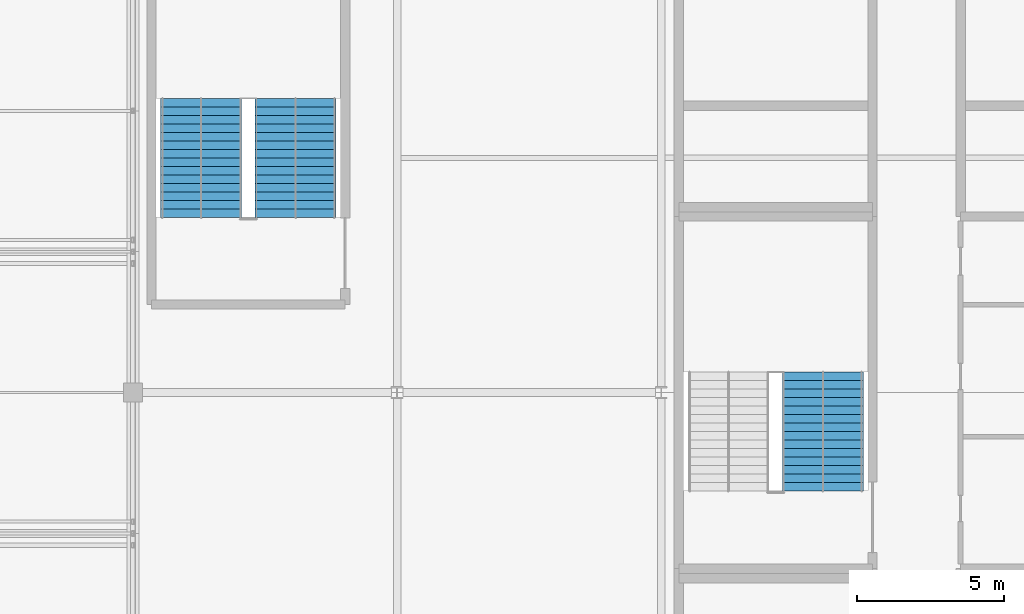
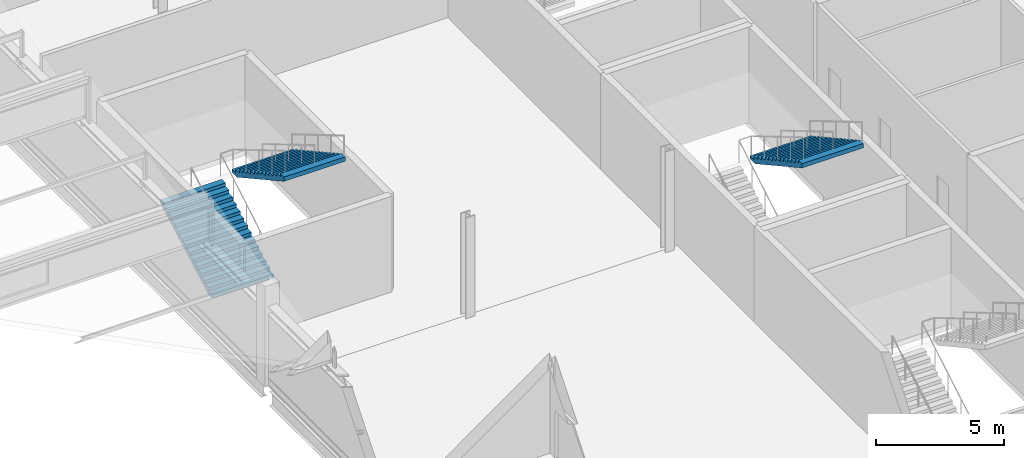
# One storey, part 123 of 136: 3 stair flights, 2 elements without a shape of their own.
"""IFC4 building model written with IfcOpenShell, lengths in metres."""

from ifc_helpers import new_model, si_unit, direction, frame, origin, place, context, subcontext, project, spatial, polygons, material, type_object, element, aggregate, save


model = new_model("IFC4")

# Units and contexts
model_context = context("Model", 3, precision=1e-05, world=origin(), true_north=direction((0.0, 1.0)))
body_context = subcontext(model_context, "Body", "Model", "MODEL_VIEW")
ifc_project = project(units=[si_unit("LENGTHUNIT", "METRE"), si_unit("AREAUNIT", "SQUARE_METRE"), si_unit("VOLUMEUNIT", "CUBIC_METRE"), si_unit("PLANEANGLEUNIT", "RADIAN"), si_unit("MASSUNIT", "GRAM", prefix="KILO")], contexts=[model_context])

# Site, building, storey
site_placement = place(None, origin())
site = spatial("IfcSite", under=ifc_project, at=site_placement, CompositionType="ELEMENT")
building_placement = place(site_placement, origin())
building = spatial("IfcBuilding", under=site, at=building_placement, Name="Kisiwana Market Hall", CompositionType="ELEMENT")
storey_placement = place(building_placement, frame((0.0, 0.0, 16.800048828125)))
storey = spatial("IfcBuildingStorey", under=building, at=storey_placement, Name="L03", CompositionType="ELEMENT", Elevation=16.800048828125)

# Stair, stair flights
ifc_material_1 = material(Name="Concrete C32/40", Category="concrete")
stair_type = type_object("IfcStairType", Name="ST-ESC-4800", PredefinedType="TWO_STRAIGHT_RUN_STAIR", material=ifc_material_1)
stair_1_placement = place(storey_placement, origin())
stair_1 = element("IfcStair", 1, at=stair_1_placement, inside=storey, type_object=stair_type, Name="Escape stair ST-E10-L03", PredefinedType="TWO_STRAIGHT_RUN_STAIR")
ifc_material_2 = material(Name="Concrete C32/40", Category="concrete")
stair_flight_type = type_object("IfcStairFlightType", Name="SF-ESC-4800", PredefinedType="STRAIGHT", material=ifc_material_2)
stair_flight_1_placement = place(storey_placement, frame((155.320068359375, 65.9599609375, 0.0), z_axis=(0.0, 0.0, 1.0), x_axis=(0.0, 1.0, 0.0)))
stair_flight_1 = element("IfcStairFlight", 2, at=stair_flight_1_placement, type_object=stair_flight_type, Name="ST-E10-L03 flight 1", NumberOfRisers=15, NumberOfTreads=14, PredefinedType="STRAIGHT", RiserHeight=0.16, TreadLength=0.29, context=body_context, shape_type="Tessellation", body=[
    polygons([(0.0, -1.380127, 0.0), (0.0, -0.690125, 0.0), (0.0, -0.000122, 0.0), (0.0, 0.68988, 0.0), (0.0, 1.379883, 0.0), (0.0, -1.380127, 0.159912), (0.0, -0.690125, 0.159912), (0.0, -0.000122, 0.159912), (0.0, 0.68988, 0.159912), (0.0, 1.379883, 0.159912), (0.290039, -1.380127, 0.159912), (0.290039, -0.690125, 0.159912), (0.290039, -0.000122, 0.159912), (0.290039, 0.68988, 0.159912), (0.290039, 1.379883, 0.159912), (0.290039, -1.380127, 0.320068), (0.290039, -0.690125, 0.320068), (0.290039, -0.000122, 0.320068), (0.290039, 0.68988, 0.320068), (0.290039, 1.379883, 0.320068), (0.580078, -1.380127, 0.320068), (0.580078, -0.690125, 0.320068), (0.580078, -0.000122, 0.320068), (0.580078, 0.68988, 0.320068), (0.580078, 1.379883, 0.320068), (0.580078, -1.380127, 0.47998), (0.580078, -0.690125, 0.47998), (0.580078, -0.000122, 0.47998), (0.580078, 0.68988, 0.47998), (0.580078, 1.379883, 0.47998), (0.870117, -1.380127, 0.47998), (0.870117, -0.690125, 0.47998), (0.870117, -0.000122, 0.47998), (0.870117, 0.68988, 0.47998), (0.870117, 1.379883, 0.47998), (0.870117, -1.380127, 0.639893), (0.870117, -0.690125, 0.639893), (0.870117, -0.000122, 0.639893), (0.870117, 0.68988, 0.639893), (0.870117, 1.379883, 0.639893), (1.159912, -1.380127, 0.639893), (1.159912, -0.690125, 0.639893), (1.159912, -0.000122, 0.639893), (1.159912, 0.68988, 0.639893), (1.159912, 1.379883, 0.639893), (1.159912, -1.380127, 0.800049), (1.159912, -0.690125, 0.800049), (1.159912, -0.000122, 0.800049), (1.159912, 0.68988, 0.800049), (1.159912, 1.379883, 0.800049), (1.449951, -1.380127, 0.800049), (1.449951, -0.690125, 0.800049), (1.449951, -0.000122, 0.800049), (1.449951, 0.68988, 0.800049), (1.449951, 1.379883, 0.800049), (1.449951, -1.380127, 0.959961), (1.449951, -0.690125, 0.959961), (1.449951, -0.000122, 0.959961), (1.449951, 0.68988, 0.959961), (1.449951, 1.379883, 0.959961), (1.73999, -1.380127, 0.959961), (1.73999, -0.690125, 0.959961), (1.73999, -0.000122, 0.959961), (1.73999, 0.68988, 0.959961), (1.73999, 1.379883, 0.959961), (1.73999, -1.380127, 1.120117), (1.73999, -0.690125, 1.120117), (1.73999, -0.000122, 1.120117), (1.73999, 0.68988, 1.120117), (1.73999, 1.379883, 1.120117), (2.030029, -1.380127, 1.120117), (2.030029, -0.690125, 1.120117), (2.030029, -0.000122, 1.120117), (2.030029, 0.68988, 1.120117), (2.030029, 1.379883, 1.120117), (2.030029, -1.380127, 1.280029), (2.030029, -0.690125, 1.280029), (2.030029, -0.000122, 1.280029), (2.030029, 0.68988, 1.280029), (2.030029, 1.379883, 1.280029), (2.320068, -1.380127, 1.280029), (2.320068, -0.690125, 1.280029), (2.320068, -0.000122, 1.280029), (2.320068, 0.68988, 1.280029), (2.320068, 1.379883, 1.280029), (2.320068, -1.380127, 1.439941), (2.320068, -0.690125, 1.439941), (2.320068, -0.000122, 1.439941), (2.320068, 0.68988, 1.439941), (2.320068, 1.379883, 1.439941), (2.610107, -1.380127, 1.439941), (2.610107, -0.690125, 1.439941), (2.610107, -0.000122, 1.439941), (2.610107, 0.68988, 1.439941), (2.610107, 1.379883, 1.439941), (2.610107, -1.380127, 1.600098), (2.610107, -0.690125, 1.600098), (2.610107, -0.000122, 1.600098), (2.610107, 0.68988, 1.600098), (2.610107, 1.379883, 1.600098), (2.899902, -1.380127, 1.600098), (2.899902, -0.690125, 1.600098), (2.899902, -0.000122, 1.600098), (2.899902, 0.68988, 1.600098), (2.899902, 1.379883, 1.600098), (2.899902, -1.380127, 1.76001), (2.899902, -0.690125, 1.76001), (2.899902, -0.000122, 1.76001), (2.899902, 0.68988, 1.76001), (2.899902, 1.379883, 1.76001), (3.189941, -1.380127, 1.76001), (3.189941, -0.690125, 1.76001), (3.189941, -0.000122, 1.76001), (3.189941, 0.68988, 1.76001), (3.189941, 1.379883, 1.76001), (3.189941, -1.380127, 1.919922), (3.189941, -0.690125, 1.919922), (3.189941, -0.000122, 1.919922), (3.189941, 0.68988, 1.919922), (3.189941, 1.379883, 1.919922), (3.47998, -1.380127, 1.919922), (3.47998, -0.690125, 1.919922), (3.47998, -0.000122, 1.919922), (3.47998, 0.68988, 1.919922), (3.47998, 1.379883, 1.919922), (3.47998, -1.380127, 2.080078), (3.47998, -0.690125, 2.080078), (3.47998, -0.000122, 2.080078), (3.47998, 0.68988, 2.080078), (3.47998, 1.379883, 2.080078), (3.77002, -1.380127, 2.080078), (3.77002, -0.690125, 2.080078), (3.77002, -0.000122, 2.080078), (3.77002, 0.68988, 2.080078), (3.77002, 1.379883, 2.080078), (3.77002, -1.380127, 2.23999), (3.77002, -0.690125, 2.23999), (3.77002, -0.000122, 2.23999), (3.77002, 0.68988, 2.23999), (3.77002, 1.379883, 2.23999), (4.060059, -1.380127, 2.23999), (4.060059, -0.690125, 2.23999), (4.060059, -0.000122, 2.23999), (4.060059, 0.68988, 2.23999), (4.060059, 1.379883, 2.23999), (4.060059, -1.380127, 2.034424), (4.060059, -0.690125, 2.034424), (4.060059, -0.000122, 2.034424), (4.060059, 0.68988, 2.034424), (4.060059, 1.379883, 2.034424), (0.372559, -1.380127, 0.0), (0.372559, -0.690125, 0.0), (0.372559, -0.000122, 0.0), (0.372559, 0.68988, 0.0), (0.372559, 1.379883, 0.0)], [[[1, 6, 7, 2]], [[2, 7, 8, 3]], [[3, 8, 9, 4]], [[4, 9, 10, 5]], [[6, 11, 12, 7]], [[7, 12, 13, 8]], [[8, 13, 14, 9]], [[9, 14, 15, 10]], [[11, 16, 17, 12]], [[12, 17, 18, 13]], [[13, 18, 19, 14]], [[14, 19, 20, 15]], [[16, 21, 22, 17]], [[17, 22, 23, 18]], [[18, 23, 24, 19]], [[19, 24, 25, 20]], [[21, 26, 27, 22]], [[22, 27, 28, 23]], [[23, 28, 29, 24]], [[24, 29, 30, 25]], [[26, 31, 32, 27]], [[27, 32, 33, 28]], [[28, 33, 34, 29]], [[29, 34, 35, 30]], [[31, 36, 37, 32]], [[32, 37, 38, 33]], [[33, 38, 39, 34]], [[34, 39, 40, 35]], [[36, 41, 42, 37]], [[37, 42, 43, 38]], [[38, 43, 44, 39]], [[39, 44, 45, 40]], [[41, 46, 47, 42]], [[42, 47, 48, 43]], [[43, 48, 49, 44]], [[44, 49, 50, 45]], [[46, 51, 52, 47]], [[47, 52, 53, 48]], [[48, 53, 54, 49]], [[49, 54, 55, 50]], [[51, 56, 57, 52]], [[52, 57, 58, 53]], [[53, 58, 59, 54]], [[54, 59, 60, 55]], [[56, 61, 62, 57]], [[57, 62, 63, 58]], [[58, 63, 64, 59]], [[59, 64, 65, 60]], [[61, 66, 67, 62]], [[62, 67, 68, 63]], [[63, 68, 69, 64]], [[64, 69, 70, 65]], [[66, 71, 72, 67]], [[67, 72, 73, 68]], [[68, 73, 74, 69]], [[69, 74, 75, 70]], [[71, 76, 77, 72]], [[72, 77, 78, 73]], [[73, 78, 79, 74]], [[74, 79, 80, 75]], [[76, 81, 82, 77]], [[77, 82, 83, 78]], [[78, 83, 84, 79]], [[79, 84, 85, 80]], [[81, 86, 87, 82]], [[82, 87, 88, 83]], [[83, 88, 89, 84]], [[84, 89, 90, 85]], [[86, 91, 92, 87]], [[87, 92, 93, 88]], [[88, 93, 94, 89]], [[89, 94, 95, 90]], [[91, 96, 97, 92]], [[92, 97, 98, 93]], [[93, 98, 99, 94]], [[94, 99, 100, 95]], [[96, 101, 102, 97]], [[97, 102, 103, 98]], [[98, 103, 104, 99]], [[99, 104, 105, 100]], [[101, 106, 107, 102]], [[102, 107, 108, 103]], [[103, 108, 109, 104]], [[104, 109, 110, 105]], [[106, 111, 112, 107]], [[107, 112, 113, 108]], [[108, 113, 114, 109]], [[109, 114, 115, 110]], [[111, 116, 117, 112]], [[112, 117, 118, 113]], [[113, 118, 119, 114]], [[114, 119, 120, 115]], [[116, 121, 122, 117]], [[117, 122, 123, 118]], [[118, 123, 124, 119]], [[119, 124, 125, 120]], [[121, 126, 127, 122]], [[122, 127, 128, 123]], [[123, 128, 129, 124]], [[124, 129, 130, 125]], [[126, 131, 132, 127]], [[127, 132, 133, 128]], [[128, 133, 134, 129]], [[129, 134, 135, 130]], [[131, 136, 137, 132]], [[132, 137, 138, 133]], [[133, 138, 139, 134]], [[134, 139, 140, 135]], [[136, 141, 142, 137]], [[137, 142, 143, 138]], [[138, 143, 144, 139]], [[139, 144, 145, 140]], [[141, 146, 147, 142]], [[142, 147, 148, 143]], [[143, 148, 149, 144]], [[144, 149, 150, 145]], [[146, 151, 152, 147]], [[147, 152, 153, 148]], [[148, 153, 154, 149]], [[149, 154, 155, 150]], [[151, 1, 2, 152]], [[152, 2, 3, 153]], [[153, 3, 4, 154]], [[154, 4, 5, 155]], [[151, 146, 141, 136, 131, 126, 121, 116, 111, 106, 101, 96, 91, 86, 81, 76, 71, 66, 61, 56, 51, 46, 41, 36, 31, 26, 21, 16, 11, 6, 1]], [[5, 10, 15, 20, 25, 30, 35, 40, 45, 50, 55, 60, 65, 70, 75, 80, 85, 90, 95, 100, 105, 110, 115, 120, 125, 130, 135, 140, 145, 150, 155]]], closed=True),
])
stair_flight_2_placement = place(storey_placement, frame((158.5400390625, 70.02001953125, 2.39990234375), z_axis=(0.0, 0.0, 1.0), x_axis=(0.0, -1.0, 0.0)))
stair_flight_2 = element("IfcStairFlight", 3, at=stair_flight_2_placement, type_object=stair_flight_type, Name="ST-E10-L03 flight 2", NumberOfRisers=15, NumberOfTreads=14, PredefinedType="STRAIGHT", RiserHeight=0.16, TreadLength=0.29, context=body_context, shape_type="Tessellation", body=[
    polygons([(0.0, -1.380127, 0.0), (0.0, -0.690125, 0.0), (0.0, -0.000122, 0.0), (0.0, 0.68988, 0.0), (0.0, 1.379883, 0.0), (0.0, -1.380127, 0.159912), (0.0, -0.690125, 0.159912), (0.0, -0.000122, 0.159912), (0.0, 0.68988, 0.159912), (0.0, 1.379883, 0.159912), (0.290039, -1.380127, 0.159912), (0.290039, -0.690125, 0.159912), (0.290039, -0.000122, 0.159912), (0.290039, 0.68988, 0.159912), (0.290039, 1.379883, 0.159912), (0.290039, -1.380127, 0.320068), (0.290039, -0.690125, 0.320068), (0.290039, -0.000122, 0.320068), (0.290039, 0.68988, 0.320068), (0.290039, 1.379883, 0.320068), (0.580078, -1.380127, 0.320068), (0.580078, -0.690125, 0.320068), (0.580078, -0.000122, 0.320068), (0.580078, 0.68988, 0.320068), (0.580078, 1.379883, 0.320068), (0.580078, -1.380127, 0.47998), (0.580078, -0.690125, 0.47998), (0.580078, -0.000122, 0.47998), (0.580078, 0.68988, 0.47998), (0.580078, 1.379883, 0.47998), (0.870117, -1.380127, 0.47998), (0.870117, -0.690125, 0.47998), (0.870117, -0.000122, 0.47998), (0.870117, 0.68988, 0.47998), (0.870117, 1.379883, 0.47998), (0.870117, -1.380127, 0.639893), (0.870117, -0.690125, 0.639893), (0.870117, -0.000122, 0.639893), (0.870117, 0.68988, 0.639893), (0.870117, 1.379883, 0.639893), (1.159912, -1.380127, 0.639893), (1.159912, -0.690125, 0.639893), (1.159912, -0.000122, 0.639893), (1.159912, 0.68988, 0.639893), (1.159912, 1.379883, 0.639893), (1.159912, -1.380127, 0.800049), (1.159912, -0.690125, 0.800049), (1.159912, -0.000122, 0.800049), (1.159912, 0.68988, 0.800049), (1.159912, 1.379883, 0.800049), (1.449951, -1.380127, 0.800049), (1.449951, -0.690125, 0.800049), (1.449951, -0.000122, 0.800049), (1.449951, 0.68988, 0.800049), (1.449951, 1.379883, 0.800049), (1.449951, -1.380127, 0.959961), (1.449951, -0.690125, 0.959961), (1.449951, -0.000122, 0.959961), (1.449951, 0.68988, 0.959961), (1.449951, 1.379883, 0.959961), (1.73999, -1.380127, 0.959961), (1.73999, -0.690125, 0.959961), (1.73999, -0.000122, 0.959961), (1.73999, 0.68988, 0.959961), (1.73999, 1.379883, 0.959961), (1.73999, -1.380127, 1.120117), (1.73999, -0.690125, 1.120117), (1.73999, -0.000122, 1.120117), (1.73999, 0.68988, 1.120117), (1.73999, 1.379883, 1.120117), (2.030029, -1.380127, 1.120117), (2.030029, -0.690125, 1.120117), (2.030029, -0.000122, 1.120117), (2.030029, 0.68988, 1.120117), (2.030029, 1.379883, 1.120117), (2.030029, -1.380127, 1.280029), (2.030029, -0.690125, 1.280029), (2.030029, -0.000122, 1.280029), (2.030029, 0.68988, 1.280029), (2.030029, 1.379883, 1.280029), (2.320068, -1.380127, 1.280029), (2.320068, -0.690125, 1.280029), (2.320068, -0.000122, 1.280029), (2.320068, 0.68988, 1.280029), (2.320068, 1.379883, 1.280029), (2.320068, -1.380127, 1.439941), (2.320068, -0.690125, 1.439941), (2.320068, -0.000122, 1.439941), (2.320068, 0.68988, 1.439941), (2.320068, 1.379883, 1.439941), (2.610107, -1.380127, 1.439941), (2.610107, -0.690125, 1.439941), (2.610107, -0.000122, 1.439941), (2.610107, 0.68988, 1.439941), (2.610107, 1.379883, 1.439941), (2.610107, -1.380127, 1.600098), (2.610107, -0.690125, 1.600098), (2.610107, -0.000122, 1.600098), (2.610107, 0.68988, 1.600098), (2.610107, 1.379883, 1.600098), (2.899902, -1.380127, 1.600098), (2.899902, -0.690125, 1.600098), (2.899902, -0.000122, 1.600098), (2.899902, 0.68988, 1.600098), (2.899902, 1.379883, 1.600098), (2.899902, -1.380127, 1.76001), (2.899902, -0.690125, 1.76001), (2.899902, -0.000122, 1.76001), (2.899902, 0.68988, 1.76001), (2.899902, 1.379883, 1.76001), (3.189941, -1.380127, 1.76001), (3.189941, -0.690125, 1.76001), (3.189941, -0.000122, 1.76001), (3.189941, 0.68988, 1.76001), (3.189941, 1.379883, 1.76001), (3.189941, -1.380127, 1.919922), (3.189941, -0.690125, 1.919922), (3.189941, -0.000122, 1.919922), (3.189941, 0.68988, 1.919922), (3.189941, 1.379883, 1.919922), (3.47998, -1.380127, 1.919922), (3.47998, -0.690125, 1.919922), (3.47998, -0.000122, 1.919922), (3.47998, 0.68988, 1.919922), (3.47998, 1.379883, 1.919922), (3.47998, -1.380127, 2.080078), (3.47998, -0.690125, 2.080078), (3.47998, -0.000122, 2.080078), (3.47998, 0.68988, 2.080078), (3.47998, 1.379883, 2.080078), (3.77002, -1.380127, 2.080078), (3.77002, -0.690125, 2.080078), (3.77002, -0.000122, 2.080078), (3.77002, 0.68988, 2.080078), (3.77002, 1.379883, 2.080078), (3.77002, -1.380127, 2.23999), (3.77002, -0.690125, 2.23999), (3.77002, -0.000122, 2.23999), (3.77002, 0.68988, 2.23999), (3.77002, 1.379883, 2.23999), (4.060059, -1.380127, 2.23999), (4.060059, -0.690125, 2.23999), (4.060059, -0.000122, 2.23999), (4.060059, 0.68988, 2.23999), (4.060059, 1.379883, 2.23999), (4.060059, -1.380127, 2.034424), (4.060059, -0.690125, 2.034424), (4.060059, -0.000122, 2.034424), (4.060059, 0.68988, 2.034424), (4.060059, 1.379883, 2.034424), (0.372559, -1.380127, 0.0), (0.372559, -0.690125, 0.0), (0.372559, -0.000122, 0.0), (0.372559, 0.68988, 0.0), (0.372559, 1.379883, 0.0)], [[[1, 6, 7, 2]], [[2, 7, 8, 3]], [[3, 8, 9, 4]], [[4, 9, 10, 5]], [[6, 11, 12, 7]], [[7, 12, 13, 8]], [[8, 13, 14, 9]], [[9, 14, 15, 10]], [[11, 16, 17, 12]], [[12, 17, 18, 13]], [[13, 18, 19, 14]], [[14, 19, 20, 15]], [[16, 21, 22, 17]], [[17, 22, 23, 18]], [[18, 23, 24, 19]], [[19, 24, 25, 20]], [[21, 26, 27, 22]], [[22, 27, 28, 23]], [[23, 28, 29, 24]], [[24, 29, 30, 25]], [[26, 31, 32, 27]], [[27, 32, 33, 28]], [[28, 33, 34, 29]], [[29, 34, 35, 30]], [[31, 36, 37, 32]], [[32, 37, 38, 33]], [[33, 38, 39, 34]], [[34, 39, 40, 35]], [[36, 41, 42, 37]], [[37, 42, 43, 38]], [[38, 43, 44, 39]], [[39, 44, 45, 40]], [[41, 46, 47, 42]], [[42, 47, 48, 43]], [[43, 48, 49, 44]], [[44, 49, 50, 45]], [[46, 51, 52, 47]], [[47, 52, 53, 48]], [[48, 53, 54, 49]], [[49, 54, 55, 50]], [[51, 56, 57, 52]], [[52, 57, 58, 53]], [[53, 58, 59, 54]], [[54, 59, 60, 55]], [[56, 61, 62, 57]], [[57, 62, 63, 58]], [[58, 63, 64, 59]], [[59, 64, 65, 60]], [[61, 66, 67, 62]], [[62, 67, 68, 63]], [[63, 68, 69, 64]], [[64, 69, 70, 65]], [[66, 71, 72, 67]], [[67, 72, 73, 68]], [[68, 73, 74, 69]], [[69, 74, 75, 70]], [[71, 76, 77, 72]], [[72, 77, 78, 73]], [[73, 78, 79, 74]], [[74, 79, 80, 75]], [[76, 81, 82, 77]], [[77, 82, 83, 78]], [[78, 83, 84, 79]], [[79, 84, 85, 80]], [[81, 86, 87, 82]], [[82, 87, 88, 83]], [[83, 88, 89, 84]], [[84, 89, 90, 85]], [[86, 91, 92, 87]], [[87, 92, 93, 88]], [[88, 93, 94, 89]], [[89, 94, 95, 90]], [[91, 96, 97, 92]], [[92, 97, 98, 93]], [[93, 98, 99, 94]], [[94, 99, 100, 95]], [[96, 101, 102, 97]], [[97, 102, 103, 98]], [[98, 103, 104, 99]], [[99, 104, 105, 100]], [[101, 106, 107, 102]], [[102, 107, 108, 103]], [[103, 108, 109, 104]], [[104, 109, 110, 105]], [[106, 111, 112, 107]], [[107, 112, 113, 108]], [[108, 113, 114, 109]], [[109, 114, 115, 110]], [[111, 116, 117, 112]], [[112, 117, 118, 113]], [[113, 118, 119, 114]], [[114, 119, 120, 115]], [[116, 121, 122, 117]], [[117, 122, 123, 118]], [[118, 123, 124, 119]], [[119, 124, 125, 120]], [[121, 126, 127, 122]], [[122, 127, 128, 123]], [[123, 128, 129, 124]], [[124, 129, 130, 125]], [[126, 131, 132, 127]], [[127, 132, 133, 128]], [[128, 133, 134, 129]], [[129, 134, 135, 130]], [[131, 136, 137, 132]], [[132, 137, 138, 133]], [[133, 138, 139, 134]], [[134, 139, 140, 135]], [[136, 141, 142, 137]], [[137, 142, 143, 138]], [[138, 143, 144, 139]], [[139, 144, 145, 140]], [[141, 146, 147, 142]], [[142, 147, 148, 143]], [[143, 148, 149, 144]], [[144, 149, 150, 145]], [[146, 151, 152, 147]], [[147, 152, 153, 148]], [[148, 153, 154, 149]], [[149, 154, 155, 150]], [[151, 1, 2, 152]], [[152, 2, 3, 153]], [[153, 3, 4, 154]], [[154, 4, 5, 155]], [[151, 146, 141, 136, 131, 126, 121, 116, 111, 106, 101, 96, 91, 86, 81, 76, 71, 66, 61, 56, 51, 46, 41, 36, 31, 26, 21, 16, 11, 6, 1]], [[5, 10, 15, 20, 25, 30, 35, 40, 45, 50, 55, 60, 65, 70, 75, 80, 85, 90, 95, 100, 105, 110, 115, 120, 125, 130, 135, 140, 145, 150, 155]]], closed=True),
])
aggregate(stair_1, [stair_flight_1, stair_flight_2])

# Stair, stair flight
stair_2_placement = place(storey_placement, origin())
stair_2 = element("IfcStair", 4, at=stair_2_placement, inside=storey, type_object=stair_type, Name="Escape stair ST-E5-L03", PredefinedType="TWO_STRAIGHT_RUN_STAIR")
stair_flight_3_placement = place(storey_placement, frame((176.510009765625, 60.699951171875, 2.39990234375), z_axis=(0.0, 0.0, 1.0), x_axis=(0.0, -1.0, 0.0)))
stair_flight_3 = element("IfcStairFlight", 5, at=stair_flight_3_placement, type_object=stair_flight_type, Name="ST-E5-L03 flight 2", NumberOfRisers=15, NumberOfTreads=14, PredefinedType="STRAIGHT", RiserHeight=0.16, TreadLength=0.29, context=body_context, shape_type="Tessellation", body=[
    polygons([(0.0, -1.380127, 0.0), (0.0, -0.690125, 0.0), (0.0, -0.000122, 0.0), (0.0, 0.68988, 0.0), (0.0, 1.379883, 0.0), (0.0, -1.380127, 0.159912), (0.0, -0.690125, 0.159912), (0.0, -0.000122, 0.159912), (0.0, 0.68988, 0.159912), (0.0, 1.379883, 0.159912), (0.290039, -1.380127, 0.159912), (0.290039, -0.690125, 0.159912), (0.290039, -0.000122, 0.159912), (0.290039, 0.68988, 0.159912), (0.290039, 1.379883, 0.159912), (0.290039, -1.380127, 0.320068), (0.290039, -0.690125, 0.320068), (0.290039, -0.000122, 0.320068), (0.290039, 0.68988, 0.320068), (0.290039, 1.379883, 0.320068), (0.580078, -1.380127, 0.320068), (0.580078, -0.690125, 0.320068), (0.580078, -0.000122, 0.320068), (0.580078, 0.68988, 0.320068), (0.580078, 1.379883, 0.320068), (0.580078, -1.380127, 0.47998), (0.580078, -0.690125, 0.47998), (0.580078, -0.000122, 0.47998), (0.580078, 0.68988, 0.47998), (0.580078, 1.379883, 0.47998), (0.870117, -1.380127, 0.47998), (0.870117, -0.690125, 0.47998), (0.870117, -0.000122, 0.47998), (0.870117, 0.68988, 0.47998), (0.870117, 1.379883, 0.47998), (0.870117, -1.380127, 0.639893), (0.870117, -0.690125, 0.639893), (0.870117, -0.000122, 0.639893), (0.870117, 0.68988, 0.639893), (0.870117, 1.379883, 0.639893), (1.159912, -1.380127, 0.639893), (1.159912, -0.690125, 0.639893), (1.159912, -0.000122, 0.639893), (1.159912, 0.68988, 0.639893), (1.159912, 1.379883, 0.639893), (1.159912, -1.380127, 0.800049), (1.159912, -0.690125, 0.800049), (1.159912, -0.000122, 0.800049), (1.159912, 0.68988, 0.800049), (1.159912, 1.379883, 0.800049), (1.449951, -1.380127, 0.800049), (1.449951, -0.690125, 0.800049), (1.449951, -0.000122, 0.800049), (1.449951, 0.68988, 0.800049), (1.449951, 1.379883, 0.800049), (1.449951, -1.380127, 0.959961), (1.449951, -0.690125, 0.959961), (1.449951, -0.000122, 0.959961), (1.449951, 0.68988, 0.959961), (1.449951, 1.379883, 0.959961), (1.73999, -1.380127, 0.959961), (1.73999, -0.690125, 0.959961), (1.73999, -0.000122, 0.959961), (1.73999, 0.68988, 0.959961), (1.73999, 1.379883, 0.959961), (1.73999, -1.380127, 1.120117), (1.73999, -0.690125, 1.120117), (1.73999, -0.000122, 1.120117), (1.73999, 0.68988, 1.120117), (1.73999, 1.379883, 1.120117), (2.030029, -1.380127, 1.120117), (2.030029, -0.690125, 1.120117), (2.030029, -0.000122, 1.120117), (2.030029, 0.68988, 1.120117), (2.030029, 1.379883, 1.120117), (2.030029, -1.380127, 1.280029), (2.030029, -0.690125, 1.280029), (2.030029, -0.000122, 1.280029), (2.030029, 0.68988, 1.280029), (2.030029, 1.379883, 1.280029), (2.320068, -1.380127, 1.280029), (2.320068, -0.690125, 1.280029), (2.320068, -0.000122, 1.280029), (2.320068, 0.68988, 1.280029), (2.320068, 1.379883, 1.280029), (2.320068, -1.380127, 1.439941), (2.320068, -0.690125, 1.439941), (2.320068, -0.000122, 1.439941), (2.320068, 0.68988, 1.439941), (2.320068, 1.379883, 1.439941), (2.610107, -1.380127, 1.439941), (2.610107, -0.690125, 1.439941), (2.610107, -0.000122, 1.439941), (2.610107, 0.68988, 1.439941), (2.610107, 1.379883, 1.439941), (2.610107, -1.380127, 1.600098), (2.610107, -0.690125, 1.600098), (2.610107, -0.000122, 1.600098), (2.610107, 0.68988, 1.600098), (2.610107, 1.379883, 1.600098), (2.899902, -1.380127, 1.600098), (2.899902, -0.690125, 1.600098), (2.899902, -0.000122, 1.600098), (2.899902, 0.68988, 1.600098), (2.899902, 1.379883, 1.600098), (2.899902, -1.380127, 1.76001), (2.899902, -0.690125, 1.76001), (2.899902, -0.000122, 1.76001), (2.899902, 0.68988, 1.76001), (2.899902, 1.379883, 1.76001), (3.189941, -1.380127, 1.76001), (3.189941, -0.690125, 1.76001), (3.189941, -0.000122, 1.76001), (3.189941, 0.68988, 1.76001), (3.189941, 1.379883, 1.76001), (3.189941, -1.380127, 1.919922), (3.189941, -0.690125, 1.919922), (3.189941, -0.000122, 1.919922), (3.189941, 0.68988, 1.919922), (3.189941, 1.379883, 1.919922), (3.47998, -1.380127, 1.919922), (3.47998, -0.690125, 1.919922), (3.47998, -0.000122, 1.919922), (3.47998, 0.68988, 1.919922), (3.47998, 1.379883, 1.919922), (3.47998, -1.380127, 2.080078), (3.47998, -0.690125, 2.080078), (3.47998, -0.000122, 2.080078), (3.47998, 0.68988, 2.080078), (3.47998, 1.379883, 2.080078), (3.77002, -1.380127, 2.080078), (3.77002, -0.690125, 2.080078), (3.77002, -0.000122, 2.080078), (3.77002, 0.68988, 2.080078), (3.77002, 1.379883, 2.080078), (3.77002, -1.380127, 2.23999), (3.77002, -0.690125, 2.23999), (3.77002, -0.000122, 2.23999), (3.77002, 0.68988, 2.23999), (3.77002, 1.379883, 2.23999), (4.060059, -1.380127, 2.23999), (4.060059, -0.690125, 2.23999), (4.060059, -0.000122, 2.23999), (4.060059, 0.68988, 2.23999), (4.060059, 1.379883, 2.23999), (4.060059, -1.380127, 2.034424), (4.060059, -0.690125, 2.034424), (4.060059, -0.000122, 2.034424), (4.060059, 0.68988, 2.034424), (4.060059, 1.379883, 2.034424), (0.372559, -1.380127, 0.0), (0.372559, -0.690125, 0.0), (0.372559, -0.000122, 0.0), (0.372559, 0.68988, 0.0), (0.372559, 1.379883, 0.0)], [[[1, 6, 7, 2]], [[2, 7, 8, 3]], [[3, 8, 9, 4]], [[4, 9, 10, 5]], [[6, 11, 12, 7]], [[7, 12, 13, 8]], [[8, 13, 14, 9]], [[9, 14, 15, 10]], [[11, 16, 17, 12]], [[12, 17, 18, 13]], [[13, 18, 19, 14]], [[14, 19, 20, 15]], [[16, 21, 22, 17]], [[17, 22, 23, 18]], [[18, 23, 24, 19]], [[19, 24, 25, 20]], [[21, 26, 27, 22]], [[22, 27, 28, 23]], [[23, 28, 29, 24]], [[24, 29, 30, 25]], [[26, 31, 32, 27]], [[27, 32, 33, 28]], [[28, 33, 34, 29]], [[29, 34, 35, 30]], [[31, 36, 37, 32]], [[32, 37, 38, 33]], [[33, 38, 39, 34]], [[34, 39, 40, 35]], [[36, 41, 42, 37]], [[37, 42, 43, 38]], [[38, 43, 44, 39]], [[39, 44, 45, 40]], [[41, 46, 47, 42]], [[42, 47, 48, 43]], [[43, 48, 49, 44]], [[44, 49, 50, 45]], [[46, 51, 52, 47]], [[47, 52, 53, 48]], [[48, 53, 54, 49]], [[49, 54, 55, 50]], [[51, 56, 57, 52]], [[52, 57, 58, 53]], [[53, 58, 59, 54]], [[54, 59, 60, 55]], [[56, 61, 62, 57]], [[57, 62, 63, 58]], [[58, 63, 64, 59]], [[59, 64, 65, 60]], [[61, 66, 67, 62]], [[62, 67, 68, 63]], [[63, 68, 69, 64]], [[64, 69, 70, 65]], [[66, 71, 72, 67]], [[67, 72, 73, 68]], [[68, 73, 74, 69]], [[69, 74, 75, 70]], [[71, 76, 77, 72]], [[72, 77, 78, 73]], [[73, 78, 79, 74]], [[74, 79, 80, 75]], [[76, 81, 82, 77]], [[77, 82, 83, 78]], [[78, 83, 84, 79]], [[79, 84, 85, 80]], [[81, 86, 87, 82]], [[82, 87, 88, 83]], [[83, 88, 89, 84]], [[84, 89, 90, 85]], [[86, 91, 92, 87]], [[87, 92, 93, 88]], [[88, 93, 94, 89]], [[89, 94, 95, 90]], [[91, 96, 97, 92]], [[92, 97, 98, 93]], [[93, 98, 99, 94]], [[94, 99, 100, 95]], [[96, 101, 102, 97]], [[97, 102, 103, 98]], [[98, 103, 104, 99]], [[99, 104, 105, 100]], [[101, 106, 107, 102]], [[102, 107, 108, 103]], [[103, 108, 109, 104]], [[104, 109, 110, 105]], [[106, 111, 112, 107]], [[107, 112, 113, 108]], [[108, 113, 114, 109]], [[109, 114, 115, 110]], [[111, 116, 117, 112]], [[112, 117, 118, 113]], [[113, 118, 119, 114]], [[114, 119, 120, 115]], [[116, 121, 122, 117]], [[117, 122, 123, 118]], [[118, 123, 124, 119]], [[119, 124, 125, 120]], [[121, 126, 127, 122]], [[122, 127, 128, 123]], [[123, 128, 129, 124]], [[124, 129, 130, 125]], [[126, 131, 132, 127]], [[127, 132, 133, 128]], [[128, 133, 134, 129]], [[129, 134, 135, 130]], [[131, 136, 137, 132]], [[132, 137, 138, 133]], [[133, 138, 139, 134]], [[134, 139, 140, 135]], [[136, 141, 142, 137]], [[137, 142, 143, 138]], [[138, 143, 144, 139]], [[139, 144, 145, 140]], [[141, 146, 147, 142]], [[142, 147, 148, 143]], [[143, 148, 149, 144]], [[144, 149, 150, 145]], [[146, 151, 152, 147]], [[147, 152, 153, 148]], [[148, 153, 154, 149]], [[149, 154, 155, 150]], [[151, 1, 2, 152]], [[152, 2, 3, 153]], [[153, 3, 4, 154]], [[154, 4, 5, 155]], [[151, 146, 141, 136, 131, 126, 121, 116, 111, 106, 101, 96, 91, 86, 81, 76, 71, 66, 61, 56, 51, 46, 41, 36, 31, 26, 21, 16, 11, 6, 1]], [[5, 10, 15, 20, 25, 30, 35, 40, 45, 50, 55, 60, 65, 70, 75, 80, 85, 90, 95, 100, 105, 110, 115, 120, 125, 130, 135, 140, 145, 150, 155]]], closed=True),
])
aggregate(stair_2, [stair_flight_3])

save(model, "model.ifc")
